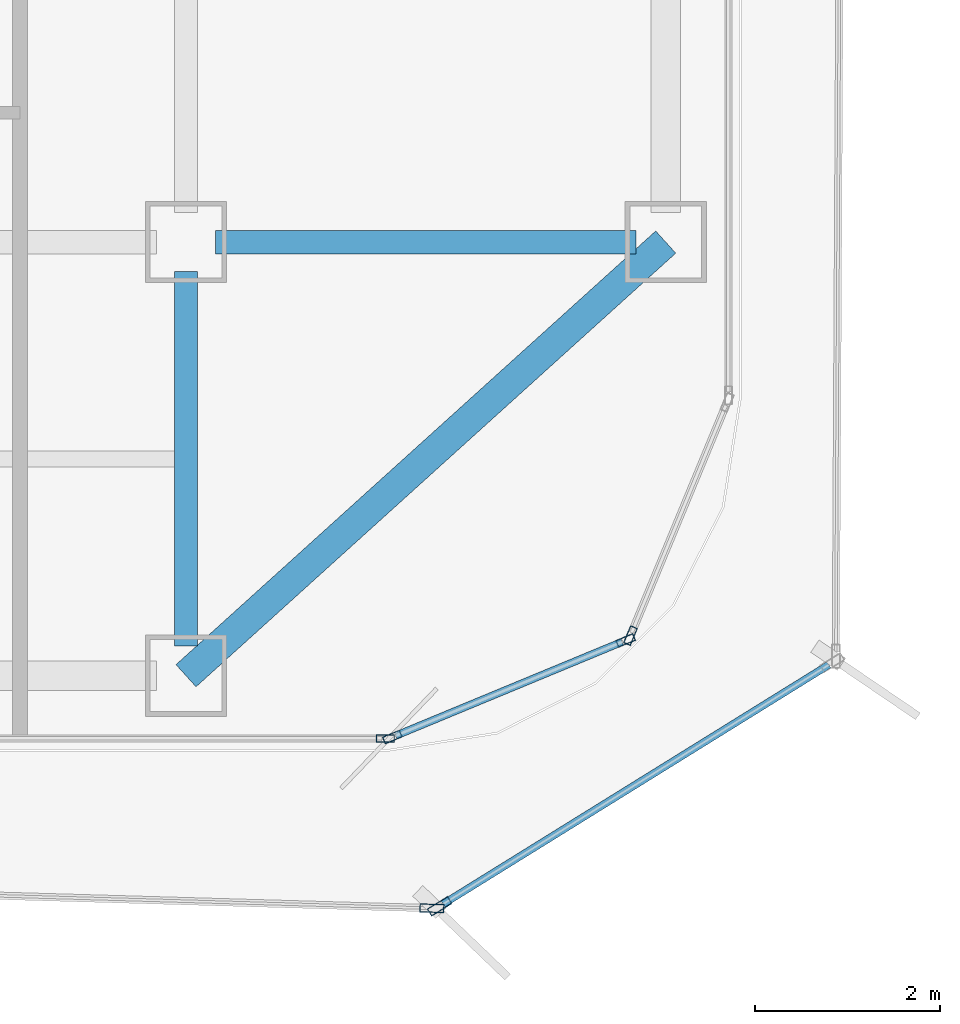
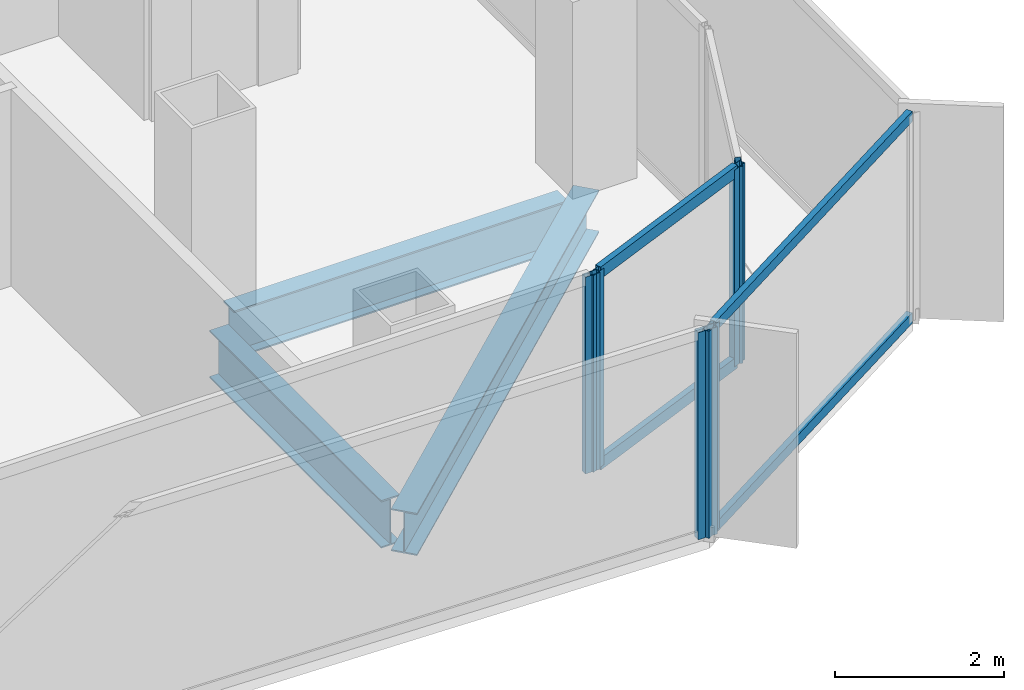
# One storey, part 6 of 21: 10 members, 3 beams, 5 elements without a shape of their own.
"""IFC4 building model written with IfcOpenShell, lengths in metres."""

from ifc_helpers import new_model, si_unit, direction, frame, origin, origin_2d, place, context, subcontext, project, spatial, hollow_rectangle, i_section, extrude, source, transform, mapped, material, layer, layer_set, material_profile, profile_set, type_object, element, aggregate, save


model = new_model("IFC4")

# Units and contexts
model_context = context("Model", 3, precision=1e-05, world=origin(), true_north=direction((0.0, 1.0)))
body_context = subcontext(model_context, "Body", "Model", "MODEL_VIEW")
ifc_project = project(units=[si_unit("LENGTHUNIT", "METRE"), si_unit("AREAUNIT", "SQUARE_METRE"), si_unit("VOLUMEUNIT", "CUBIC_METRE"), si_unit("PLANEANGLEUNIT", "RADIAN"), si_unit("MASSUNIT", "GRAM", prefix="KILO")], contexts=[model_context])

# Site, building, storey
site_placement = place(None, origin())
site = spatial("IfcSite", under=ifc_project, at=site_placement, CompositionType="ELEMENT")
building_placement = place(site_placement, origin())
building = spatial("IfcBuilding", under=site, at=building_placement, Name="Kolveth Station Tower", CompositionType="ELEMENT")
storey_placement = place(building_placement, frame((0.0, 0.0, 148.39990234375)))
storey = spatial("IfcBuildingStorey", under=building, at=storey_placement, Name="L41", CompositionType="ELEMENT", Elevation=148.39990234375)

# Beams
ifc_material_1 = material(Name="Steel S355", Category="steel")
ifc_material_profile_1 = material_profile(ifc_material_1, i_section(OverallWidth=0.323974609375, OverallDepth=0.611083984375, WebThickness=0.0126953125, FlangeThickness=0.01904296875, at=origin_2d()), Name="W610x155")
ifc_profile_set_1 = profile_set([ifc_material_profile_1], Name="Steel S355")
beam_type_1 = type_object("IfcBeamType", Name="Beam_SP2", PredefinedType="SPANDREL", material=ifc_profile_set_1)
shared_shape_1 = source(origin(), body_context, "Body", "SweptSolid", [
    extrude(i_section(OverallWidth=0.323974609375, OverallDepth=0.611083984375, WebThickness=0.0126953125, FlangeThickness=0.01904296875, at=origin_2d()), origin(), (0.0, 0.0, 1.0), 7.00927734375),
])
beam_1_placement = place(storey_placement, frame((41.0, 0.800048828125, -0.555419921875), z_axis=(0.741874009795, 0.670539300557, 0.0), x_axis=(-0.670539300557, 0.741874009795, 0.0)))
element("IfcBeam", 1, at=beam_1_placement, inside=storey, type_object=beam_type_1, Name="L41 Corner Edge Girder BM-L41-CNR-SE", PredefinedType="SPANDREL", context=body_context, shape_type="MappedRepresentation", body=[
    mapped(shared_shape_1, transform((0.0, 0.0, 0.0), x_axis=(1.0, 0.0, 0.0), y_axis=(0.0, 1.0, 0.0), z_axis=(0.0, 0.0, 1.0), scale=1.0)),
])
ifc_material_profile_2 = material_profile(ifc_material_1, i_section(OverallWidth=0.25390625, OverallDepth=0.68798828125, WebThickness=0.01318359375, FlangeThickness=0.02099609375, at=origin_2d()), Name="W690x152")
ifc_profile_set_2 = profile_set([ifc_material_profile_2], Name="Steel S355")
beam_type_2 = type_object("IfcBeamType", Name="Beam_B4", PredefinedType="BEAM", material=ifc_profile_set_2)
shared_shape_2 = source(origin(), body_context, "Body", "SweptSolid", [
    extrude(i_section(OverallWidth=0.25390625, OverallDepth=0.68798828125, WebThickness=0.01318359375, FlangeThickness=0.02099609375, at=origin_2d()), origin(), (0.0, 0.0, 1.0), 4.559814453125),
])
beam_2_placement = place(storey_placement, frame((41.320068359375, 5.5, -0.593994140625), z_axis=(1.0, 0.0, 0.0), x_axis=(0.0, 1.0, 0.0)))
element("IfcBeam", 2, at=beam_2_placement, inside=storey, type_object=beam_type_2, Name="L41 Primary Girder BM-L41-GY55-7", PredefinedType="BEAM", context=body_context, shape_type="MappedRepresentation", body=[
    mapped(shared_shape_2, transform((0.0, 0.0, 0.0), x_axis=(1.0, 0.0, 0.0), y_axis=(0.0, 1.0, 0.0), z_axis=(0.0, 0.0, 1.0), scale=1.0)),
])
shared_shape_3 = source(origin(), body_context, "Body", "SweptSolid", [
    extrude(i_section(OverallWidth=0.25390625, OverallDepth=0.68798828125, WebThickness=0.01318359375, FlangeThickness=0.02099609375, at=origin_2d()), origin(), (0.0, 0.0, 1.0), 4.059814453125),
])
beam_3_placement = place(storey_placement, frame((41.0, 1.1201171875, -0.593994140625), z_axis=(0.0, 1.0, 0.0), x_axis=(-1.0, 0.0, 0.0)))
element("IfcBeam", 3, at=beam_3_placement, inside=storey, type_object=beam_type_2, Name="L41 Primary Girder BM-L41-GX410-1", PredefinedType="BEAM", context=body_context, shape_type="MappedRepresentation", body=[
    mapped(shared_shape_3, transform((0.0, 0.0, 0.0), x_axis=(1.0, 0.0, 0.0), y_axis=(0.0, 1.0, 0.0), z_axis=(0.0, 0.0, 1.0), scale=1.0)),
])

# Curtain wall, members
ifc_material_2 = material(Name="Aluminium 6063-T6 and low-E dark glass", Category="aluminium")
ifc_layer_1 = layer(ifc_material_2, 0.18994140625)
ifc_layer_set_1 = layer_set([ifc_layer_1], Name="Aluminium 6063-T6 and low-E dark glass")
curtain_wall_type_1 = type_object("IfcCurtainWallType", Name="CurtainWall_CW-Z2", PredefinedType="NOTDEFINED", material=ifc_layer_set_1)
curtain_wall_1_placement = place(storey_placement, origin())
curtain_wall_1 = element("IfcCurtainWall", 4, at=curtain_wall_1_placement, inside=storey, type_object=curtain_wall_type_1, Name="L41 Inner Thermal Curtain Wall 1", PredefinedType="NOTDEFINED")
ifc_material_3 = material(Name="Black anodized aluminium 6063-T6", Category="aluminium")
ifc_material_profile_3 = material_profile(ifc_material_3, hollow_rectangle(XDim=0.080078125, YDim=0.169921875, WallThickness=0.0048828125, at=origin_2d()), Name="ALU-80x170x5")
ifc_profile_set_3 = profile_set([ifc_material_profile_3], Name="Black anodized aluminium 6063-T6")
member_type_1 = type_object("IfcMemberType", Name="Transom_TR2", PredefinedType="USERDEFINED", material=ifc_profile_set_3)
shared_shape_4 = source(origin(), body_context, "Body", "SweptSolid", [
    extrude(hollow_rectangle(XDim=0.080078125, YDim=0.169921875, WallThickness=0.0048828125, at=origin_2d()), origin(), (0.0, 0.0, 1.0), 2.656494140625),
])
member_1_placement = place(storey_placement, frame((43.27392578125, 0.150634765625, 0.0400390625), z_axis=(0.923882422403, 0.382676455475, 0.0), x_axis=(-0.382676455475, 0.923882422403, 0.0)))
member_1 = element("IfcMember", 5, at=member_1_placement, type_object=member_type_1, Name="CW-Z2 transom 1.1", ObjectType="TRANSOM", PredefinedType="USERDEFINED", context=body_context, shape_type="MappedRepresentation", body=[
    mapped(shared_shape_4, transform((0.0, 0.0, 0.0), x_axis=(1.0, 0.0, 0.0), y_axis=(0.0, 1.0, 0.0), z_axis=(0.0, 0.0, 1.0), scale=1.0)),
])
member_2_placement = place(storey_placement, frame((43.27392578125, 0.150634765625, 2.800048828125), z_axis=(0.923882422403, 0.382676455475, 0.0), x_axis=(-0.382676455475, 0.923882422403, 0.0)))
member_2 = element("IfcMember", 6, at=member_2_placement, type_object=member_type_1, Name="CW-Z2 transom 1.2", ObjectType="TRANSOM", PredefinedType="USERDEFINED", context=body_context, shape_type="MappedRepresentation", body=[
    mapped(shared_shape_4, transform((0.0, 0.0, 0.0), x_axis=(1.0, 0.0, 0.0), y_axis=(0.0, 1.0, 0.0), z_axis=(0.0, 0.0, 1.0), scale=1.0)),
])

# Curtain wall, member
ifc_material_4 = material(Name="Black anodized aluminium 6063-T6 and dark solar glass", Category="aluminium")
ifc_layer_2 = layer(ifc_material_4, 0.159912109375)
ifc_layer_set_2 = layer_set([ifc_layer_2], Name="Black anodized aluminium 6063-T6 and dark solar glass")
curtain_wall_type_2 = type_object("IfcCurtainWallType", Name="OUTER SKIN CW-OS", PredefinedType="NOTDEFINED", material=ifc_layer_set_2)
curtain_wall_2_placement = place(storey_placement, origin())
curtain_wall_2 = element("IfcCurtainWall", 7, at=curtain_wall_2_placement, inside=storey, type_object=curtain_wall_type_2, Name="L41 Outer Ventilated Skin Curtain Wall 1", PredefinedType="NOTDEFINED")
ifc_material_profile_4 = material_profile(ifc_material_3, hollow_rectangle(XDim=0.090087890625, YDim=0.260009765625, WallThickness=0.0048828125, at=origin_2d()), Name="ALU-90x260x5")
ifc_profile_set_4 = profile_set([ifc_material_profile_4], Name="Black anodized aluminium 6063-T6")
member_type_2 = type_object("IfcMemberType", Name="FIN MULLION ML-OS", PredefinedType="MULLION", material=ifc_profile_set_4)
shared_shape_5 = source(origin(), body_context, "Body", "SweptSolid", [
    extrude(hollow_rectangle(XDim=0.090087890625, YDim=0.260009765625, WallThickness=0.0048828125, at=origin_2d()), origin(), (0.0, 0.0, 1.0), 2.989990234375),
])
member_3_placement = place(storey_placement, frame((43.748779296875, -1.698486328125, 0.0), z_axis=(0.0, 0.0, 1.0), x_axis=(-0.527055262541, 0.849831012747, 0.0)))
member_3 = element("IfcMember", 8, at=member_3_placement, type_object=member_type_2, Name="CW-OS mullion 1", PredefinedType="MULLION", context=body_context, shape_type="MappedRepresentation", body=[
    mapped(shared_shape_5, transform((0.0, 0.0, 0.0), x_axis=(1.0, 0.0, 0.0), y_axis=(0.0, 1.0, 0.0), z_axis=(0.0, 0.0, 1.0), scale=1.0)),
])

curtain_wall_3_placement = place(storey_placement, origin())
curtain_wall_3 = element("IfcCurtainWall", 9, at=curtain_wall_3_placement, inside=storey, type_object=curtain_wall_type_2, Name="L41 Outer Ventilated Skin Curtain Wall 8", PredefinedType="NOTDEFINED")
member_4_placement = place(storey_placement, frame((43.66552734375, -1.720703125, 0.0), z_axis=(0.0, 0.0, 1.0), x_axis=(0.02884275382, 0.999583961232, 0.0)))
member_4 = element("IfcMember", 10, at=member_4_placement, type_object=member_type_2, Name="CW-OS mullion 2", PredefinedType="MULLION", context=body_context, shape_type="MappedRepresentation", body=[
    mapped(shared_shape_5, transform((0.0, 0.0, 0.0), x_axis=(1.0, 0.0, 0.0), y_axis=(0.0, 1.0, 0.0), z_axis=(0.0, 0.0, 1.0), scale=1.0)),
])
aggregate(curtain_wall_3, [member_4])

# Member
ifc_material_profile_5 = material_profile(ifc_material_3, hollow_rectangle(XDim=0.080078125, YDim=0.199951171875, WallThickness=0.0048828125, at=origin_2d()), Name="ALU-80x200x5")
ifc_profile_set_5 = profile_set([ifc_material_profile_5], Name="Black anodized aluminium 6063-T6")
member_type_3 = type_object("IfcMemberType", Name="Mullion_ML2", PredefinedType="MULLION", material=ifc_profile_set_5)
shared_shape_6 = source(origin(), body_context, "Body", "SweptSolid", [
    extrude(hollow_rectangle(XDim=0.080078125, YDim=0.199951171875, WallThickness=0.0048828125, at=origin_2d()), origin(), (0.0, 0.0, 1.0), 2.840087890625),
])
member_5_placement = place(storey_placement, frame((43.237060546875, 0.13525390625, 0.0), z_axis=(0.0, 0.0, 1.0), x_axis=(-0.38266326998, 0.923887883787, 0.0)))
member_5 = element("IfcMember", 11, at=member_5_placement, type_object=member_type_3, Name="CW-Z2 mullion 1", PredefinedType="MULLION", context=body_context, shape_type="MappedRepresentation", body=[
    mapped(shared_shape_6, transform((0.0, 0.0, 0.0), x_axis=(1.0, 0.0, 0.0), y_axis=(0.0, 1.0, 0.0), z_axis=(0.0, 0.0, 1.0), scale=1.0)),
])

member_6_placement = place(storey_placement, frame((45.76513671875, 1.182373046875, 0.0), z_axis=(0.0, 0.0, 1.0), x_axis=(-0.38266326998, 0.923887883787, 0.0)))
member_6 = element("IfcMember", 12, at=member_6_placement, type_object=member_type_3, Name="CW-Z2 mullion 2", PredefinedType="MULLION", context=body_context, shape_type="MappedRepresentation", body=[
    mapped(shared_shape_6, transform((0.0, 0.0, 0.0), x_axis=(1.0, 0.0, 0.0), y_axis=(0.0, 1.0, 0.0), z_axis=(0.0, 0.0, 1.0), scale=1.0)),
])

aggregate(curtain_wall_1, [member_5, member_6, member_1, member_2])

# Curtain wall, member
curtain_wall_4_placement = place(storey_placement, origin())
curtain_wall_4 = element("IfcCurtainWall", 13, at=curtain_wall_4_placement, inside=storey, type_object=curtain_wall_type_1, Name="L41 Inner Thermal Curtain Wall 2", PredefinedType="NOTDEFINED")
member_7_placement = place(storey_placement, frame((45.817626953125, 1.23486328125, 0.0), z_axis=(0.0, 0.0, 1.0), x_axis=(-0.923887883787, 0.38266326998, 0.0)))
member_7 = element("IfcMember", 14, at=member_7_placement, type_object=member_type_3, Name="CW-Z2 mullion 1", PredefinedType="MULLION", context=body_context, shape_type="MappedRepresentation", body=[
    mapped(shared_shape_6, transform((0.0, 0.0, 0.0), x_axis=(1.0, 0.0, 0.0), y_axis=(0.0, 1.0, 0.0), z_axis=(0.0, 0.0, 1.0), scale=1.0)),
])
aggregate(curtain_wall_4, [member_7])

curtain_wall_5_placement = place(storey_placement, origin())
curtain_wall_5 = element("IfcCurtainWall", 15, at=curtain_wall_5_placement, inside=storey, type_object=curtain_wall_type_1, Name="L41 Inner Thermal Curtain Wall 12", PredefinedType="NOTDEFINED")
member_8_placement = place(storey_placement, frame((43.159912109375, 0.1201171875, 0.0), z_axis=(0.0, 0.0, 1.0), x_axis=(0.0, 1.0, 0.0)))
member_8 = element("IfcMember", 16, at=member_8_placement, type_object=member_type_3, Name="CW-Z2 mullion 3", PredefinedType="MULLION", context=body_context, shape_type="MappedRepresentation", body=[
    mapped(shared_shape_6, transform((0.0, 0.0, 0.0), x_axis=(1.0, 0.0, 0.0), y_axis=(0.0, 1.0, 0.0), z_axis=(0.0, 0.0, 1.0), scale=1.0)),
])
aggregate(curtain_wall_5, [member_8])

# Member
ifc_material_profile_6 = material_profile(ifc_material_3, hollow_rectangle(XDim=0.080078125, YDim=0.14990234375, WallThickness=0.0048828125, at=origin_2d()), Name="ALU-80x150x5")
ifc_profile_set_6 = profile_set([ifc_material_profile_6], Name="Black anodized aluminium 6063-T6")
member_type_4 = type_object("IfcMemberType", Name="Transom_TR-OS", PredefinedType="USERDEFINED", material=ifc_profile_set_6)
shared_shape_7 = source(origin(), body_context, "Body", "SweptSolid", [
    extrude(hollow_rectangle(XDim=0.080078125, YDim=0.14990234375, WallThickness=0.0048828125, at=origin_2d()), origin(), (0.0, 0.0, 1.0), 4.9189453125),
])
member_9_placement = place(storey_placement, frame((43.787109375, -1.674560546875, 0.0400390625), z_axis=(0.84982799602, 0.527060126722, 0.0), x_axis=(-0.527060126722, 0.84982799602, 0.0)))
member_9 = element("IfcMember", 17, at=member_9_placement, type_object=member_type_4, Name="CW-OS transom 1.1", ObjectType="TRANSOM", PredefinedType="USERDEFINED", context=body_context, shape_type="MappedRepresentation", body=[
    mapped(shared_shape_7, transform((0.0, 0.0, 0.0), x_axis=(1.0, 0.0, 0.0), y_axis=(0.0, 1.0, 0.0), z_axis=(0.0, 0.0, 1.0), scale=1.0)),
])

member_10_placement = place(storey_placement, frame((43.787109375, -1.674560546875, 2.9501953125), z_axis=(0.84982799602, 0.527060126722, 0.0), x_axis=(-0.527060126722, 0.84982799602, 0.0)))
member_10 = element("IfcMember", 18, at=member_10_placement, type_object=member_type_4, Name="CW-OS transom 1.2", ObjectType="TRANSOM", PredefinedType="USERDEFINED", context=body_context, shape_type="MappedRepresentation", body=[
    mapped(shared_shape_7, transform((0.0, 0.0, 0.0), x_axis=(1.0, 0.0, 0.0), y_axis=(0.0, 1.0, 0.0), z_axis=(0.0, 0.0, 1.0), scale=1.0)),
])

aggregate(curtain_wall_2, [member_3, member_9, member_10])

save(model, "model.ifc")
